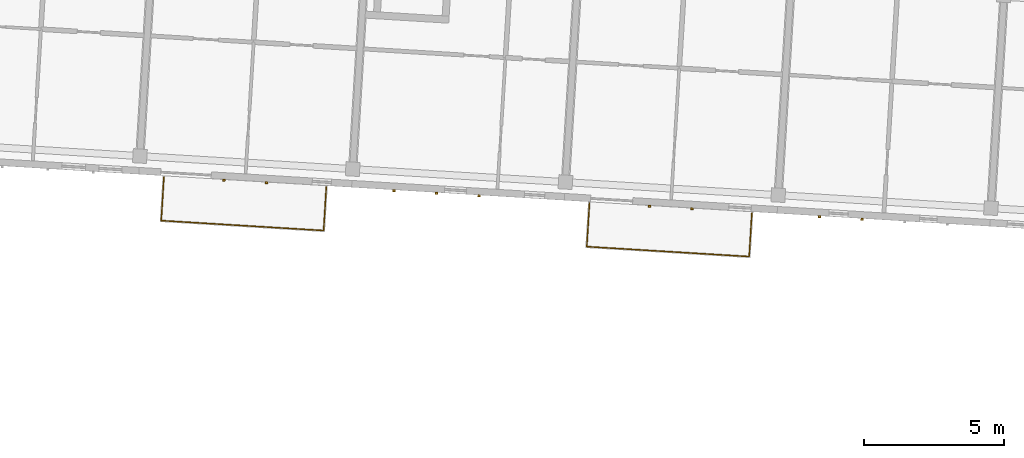
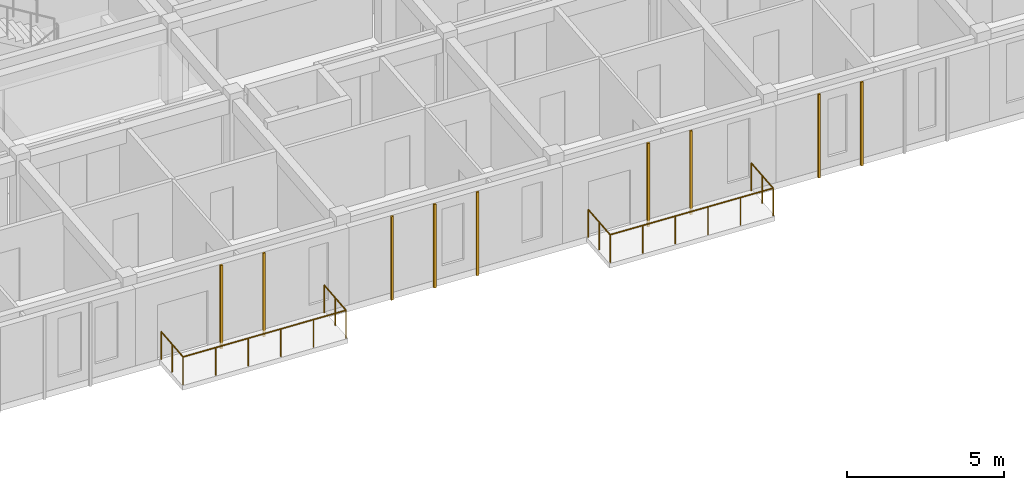
# One storey, part 51 of 68: 9 coverings, 2 railings.
"""IFC4 building model written with IfcOpenShell, lengths in metres."""

from ifc_helpers import new_model, si_unit, direction, frame, origin, origin_2d, place, context, subcontext, project, spatial, rectangle, circle, extrude, material, layer, layer_set, type_object, element, save


model = new_model("IFC4")

# Units and contexts
model_context = context("Model", 3, precision=1e-05, world=origin(), true_north=direction((0.0, 1.0)))
body_context = subcontext(model_context, "Body", "Model", "MODEL_VIEW")
ifc_project = project(units=[si_unit("LENGTHUNIT", "METRE"), si_unit("AREAUNIT", "SQUARE_METRE"), si_unit("VOLUMEUNIT", "CUBIC_METRE"), si_unit("PLANEANGLEUNIT", "RADIAN"), si_unit("MASSUNIT", "GRAM", prefix="KILO")], contexts=[model_context])

# Site, building, storey
site_placement = place(None, origin())
site = spatial("IfcSite", under=ifc_project, at=site_placement, CompositionType="ELEMENT")
building_placement = place(site_placement, origin())
building = spatial("IfcBuilding", under=site, at=building_placement, Name="Kestramere Prow Commons", CompositionType="ELEMENT")
storey_placement = place(building_placement, frame((0.0, 0.0, 18.14990234375)))
storey = spatial("IfcBuildingStorey", under=building, at=storey_placement, Name="L05", CompositionType="ELEMENT", Elevation=18.14990234375)

# Coverings
ifc_material_1 = material(Name="Weathered Zinc-Titanium Standing-Seam Cladding")
ifc_layer = layer(ifc_material_1, 0.074951171875)
ifc_layer_set = layer_set([ifc_layer], Name="Weathered Zinc-Titanium Standing-Seam Cladding")
covering_type = type_object("IfcCoveringType", Name="COV-CLAD-SEAM", PredefinedType="CLADDING", material=ifc_layer_set)
for number, where, z_axis, x_axis, name in (
    (1, (71.595947265625, 45.081298828125, -0.25), (0.0, 0.0, 1.0), (-0.998134798422, 0.061048539535, 0.0), "EW-C-L05-S-1 Standing-Seam Rib 2"),
    (2, (70.078857421875, 45.17431640625, -0.25), (0.0, 0.0, 1.0), (-0.998134798422, 0.061048539535, 0.0), "EW-C-L05-S-1 Standing-Seam Rib 3"),
    (3, (79.181884765625, 44.617431640625, -0.25), (0.0, 0.0, 1.0), (-0.998134798422, 0.061048539535, 0.0), "EW-C-L05-S-2 Standing-Seam Rib 2"),
    (4, (77.66455078125, 44.710205078125, -0.25), (0.0, 0.0, 1.0), (-0.998134798422, 0.061048539535, 0.0), "EW-C-L05-S-2 Standing-Seam Rib 3"),
    (5, (76.1474609375, 44.802978515625, -0.25), (0.0, 0.0, 1.0), (-0.998134798422, 0.061048539535, 0.0), "EW-C-L05-S-2 Standing-Seam Rib 4"),
    (6, (86.767578125, 44.153564453125, -0.25), (0.0, 0.0, 1.0), (-0.998134798422, 0.061048539535, 0.0), "EW-C-L05-S-3 Standing-Seam Rib 2"),
    (7, (85.25048828125, 44.246337890625, -0.25), (0.0, 0.0, 1.0), (-0.998134798422, 0.061048539535, 0.0), "EW-C-L05-S-3 Standing-Seam Rib 3"),
    (8, (92.836181640625, 43.7822265625, -0.25), (0.0, 0.0, 1.0), (-0.998134798422, 0.061048539535, 0.0), "EW-C-L05-S-4 Standing-Seam Rib 3"),
    (9, (91.319091796875, 43.875, -0.25), (0.0, 0.0, 1.0), (-0.998134798422, 0.061048539535, 0.0), "EW-C-L05-S-4 Standing-Seam Rib 4"),
):
    element("IfcCovering", number, at=place(storey_placement, frame(where, z_axis=z_axis, x_axis=x_axis)), inside=storey, type_object=covering_type, Name=name, PredefinedType="CLADDING", context=body_context, shape_type="SweptSolid", body=[
        extrude(rectangle(XDim=0.0849609375, YDim=0.06494140625, at=origin_2d()), origin(), (0.0, 0.0, 1.0), 3.25),
    ])

# Railings
ifc_material_2 = material(Name="Powder-Coated Aluminium 6063-T6", Category="aluminium")
railing_type = type_object("IfcRailingType", Name="GRD-BALC-1100", PredefinedType="BALUSTRADE", material=ifc_material_2)
railing_1_placement = place(storey_placement, frame((67.942138671875, 45.29248046875, 0.0)))
element("IfcRailing", 10, at=railing_1_placement, inside=storey, type_object=railing_type, Name="Block C L05 Balcony Guardrail 2", PredefinedType="BALUSTRADE", context=body_context, shape_type="SweptSolid", body=[
    extrude(circle(Radius=0.02392578125, at=origin_2d()), frame((0.0, 0.0, 1.076171875), z_axis=(-0.061189609383, -0.998126160214, 0.0), x_axis=(0.998126160214, -0.061189609383, 0.0)), (0.0, 0.0, 1.0), 1.56005859375),
    extrude(circle(Radius=0.02392578125, at=origin_2d()), frame((-0.095458984375, -1.55712890625, 1.076171875), z_axis=(0.998133128857, -0.061075830556, 0.0), x_axis=(0.061075830556, 0.998133128857, 0.0)), (0.0, 0.0, 1.0), 5.800048828125),
    extrude(circle(Radius=0.02392578125, at=origin_2d()), frame((5.69384765625, -1.911376953125, 1.076171875), z_axis=(0.061033697925, 0.998135706063, 0.0), x_axis=(-0.998135706063, 0.061033697925, 0.0)), (0.0, 0.0, 1.0), 1.56005859375),
    extrude(circle(Radius=0.02099609375, at=origin_2d()), origin(), (0.0, 0.0, 1.0), 1.052001953125),
    extrude(circle(Radius=0.02099609375, at=origin_2d()), frame((-0.0478515625, -0.778564453125, 0.0)), (0.0, 0.0, 1.0), 1.052001953125),
    extrude(circle(Radius=0.02099609375, at=origin_2d()), frame((-0.095458984375, -1.55712890625, 0.0)), (0.0, 0.0, 1.0), 1.052001953125),
    extrude(circle(Radius=0.02099609375, at=origin_2d()), frame((1.0625, -1.6279296875, 0.0)), (0.0, 0.0, 1.0), 1.052001953125),
    extrude(circle(Radius=0.02099609375, at=origin_2d()), frame((2.22021484375, -1.69873046875, 0.0)), (0.0, 0.0, 1.0), 1.052001953125),
    extrude(circle(Radius=0.02099609375, at=origin_2d()), frame((3.378173828125, -1.769775390625, 0.0)), (0.0, 0.0, 1.0), 1.052001953125),
    extrude(circle(Radius=0.02099609375, at=origin_2d()), frame((4.535888671875, -1.840576171875, 0.0)), (0.0, 0.0, 1.0), 1.052001953125),
    extrude(circle(Radius=0.02099609375, at=origin_2d()), frame((5.69384765625, -1.911376953125, 0.0)), (0.0, 0.0, 1.0), 1.052001953125),
    extrude(circle(Radius=0.02099609375, at=origin_2d()), frame((5.741455078125, -1.1328125, 0.0)), (0.0, 0.0, 1.0), 1.052001953125),
    extrude(circle(Radius=0.02099609375, at=origin_2d()), frame((5.7890625, -0.354248046875, 0.0)), (0.0, 0.0, 1.0), 1.052001953125),
])
railing_2_placement = place(storey_placement, frame((83.11376953125, 44.364501953125, 0.0)))
element("IfcRailing", 11, at=railing_2_placement, inside=storey, type_object=railing_type, Name="Block C L05 Balcony Guardrail 4", PredefinedType="BALUSTRADE", context=body_context, shape_type="SweptSolid", body=[
    extrude(circle(Radius=0.02392578125, at=origin_2d()), frame((0.0, 0.0, 1.076171875), z_axis=(-0.061033697925, -0.998135706063, 0.0), x_axis=(0.998135706063, -0.061033697925, 0.0)), (0.0, 0.0, 1.0), 1.56005859375),
    extrude(circle(Radius=0.02392578125, at=origin_2d()), frame((-0.09521484375, -1.55712890625, 1.076171875), z_axis=(0.998135537192, -0.061036459553, 0.0), x_axis=(0.061036459553, 0.998135537192, 0.0)), (0.0, 0.0, 1.0), 5.7998046875),
    extrude(circle(Radius=0.02392578125, at=origin_2d()), frame((5.69384765625, -1.9111328125, 1.076171875), z_axis=(0.061043233175, 0.998135122959, 0.0), x_axis=(-0.998135122959, 0.061043233175, 0.0)), (0.0, 0.0, 1.0), 1.559814453125),
    extrude(circle(Radius=0.02099609375, at=origin_2d()), origin(), (0.0, 0.0, 1.0), 1.052001953125),
    extrude(circle(Radius=0.02099609375, at=origin_2d()), frame((-0.047607421875, -0.778564453125, 0.0)), (0.0, 0.0, 1.0), 1.052001953125),
    extrude(circle(Radius=0.02099609375, at=origin_2d()), frame((-0.09521484375, -1.55712890625, 0.0)), (0.0, 0.0, 1.0), 1.052001953125),
    extrude(circle(Radius=0.02099609375, at=origin_2d()), frame((1.0625, -1.6279296875, 0.0)), (0.0, 0.0, 1.0), 1.052001953125),
    extrude(circle(Radius=0.02099609375, at=origin_2d()), frame((2.220458984375, -1.69873046875, 0.0)), (0.0, 0.0, 1.0), 1.052001953125),
    extrude(circle(Radius=0.02099609375, at=origin_2d()), frame((3.378173828125, -1.76953125, 0.0)), (0.0, 0.0, 1.0), 1.052001953125),
    extrude(circle(Radius=0.02099609375, at=origin_2d()), frame((4.5361328125, -1.84033203125, 0.0)), (0.0, 0.0, 1.0), 1.052001953125),
    extrude(circle(Radius=0.02099609375, at=origin_2d()), frame((5.69384765625, -1.9111328125, 0.0)), (0.0, 0.0, 1.0), 1.052001953125),
    extrude(circle(Radius=0.02099609375, at=origin_2d()), frame((5.741455078125, -1.1328125, 0.0)), (0.0, 0.0, 1.0), 1.052001953125),
    extrude(circle(Radius=0.02099609375, at=origin_2d()), frame((5.7890625, -0.354248046875, 0.0)), (0.0, 0.0, 1.0), 1.052001953125),
])

save(model, "model.ifc")
